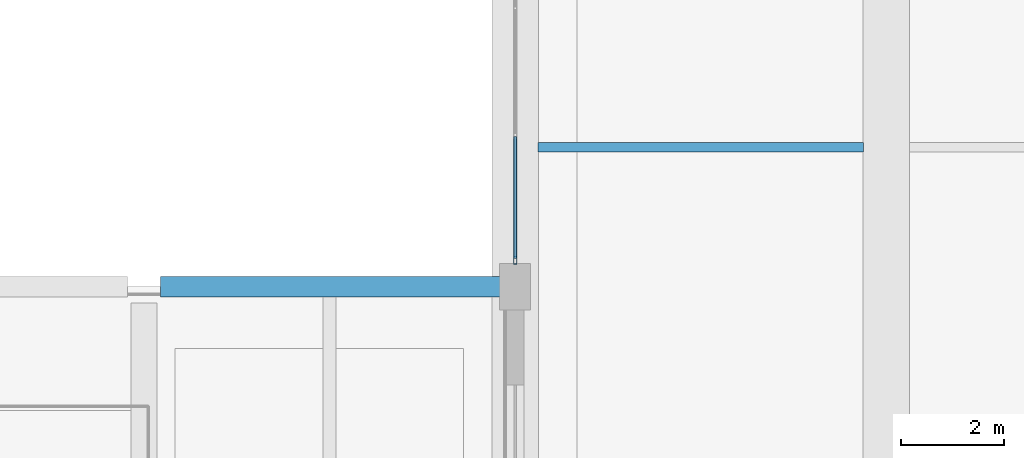
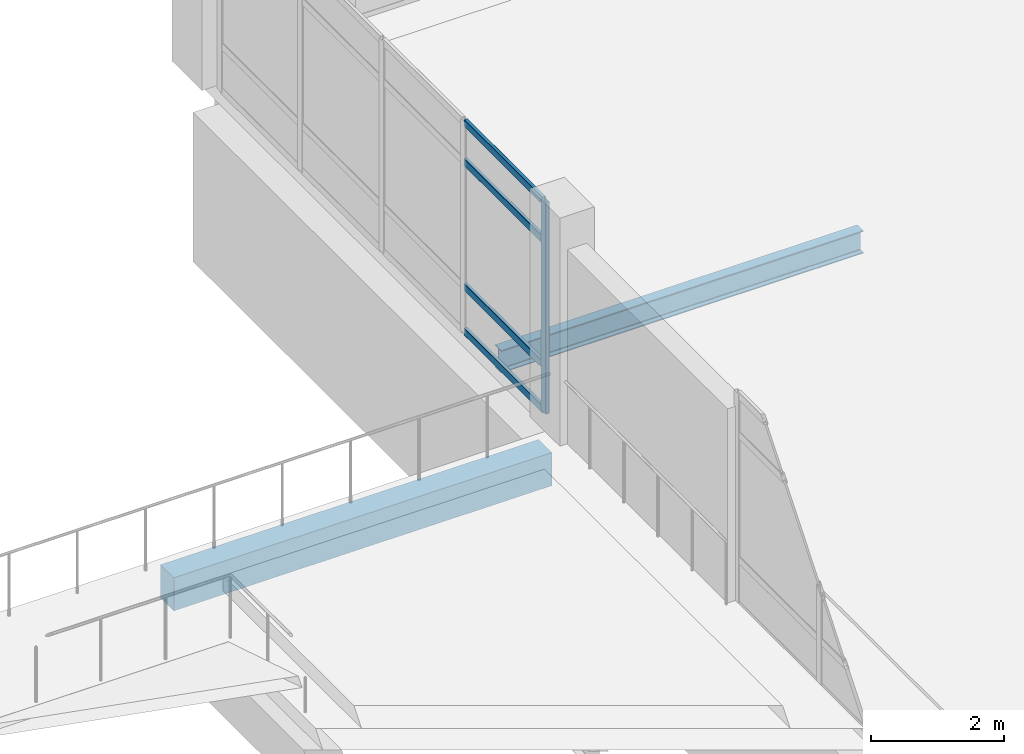
# One storey, part 25 of 158: 5 members, 2 beams, 1 element without a shape of its own.
"""IFC4 building model written with IfcOpenShell, lengths in metres."""

from ifc_helpers import new_model, si_unit, direction, frame, origin, origin_2d, place, context, subcontext, project, spatial, rectangle, hollow_rectangle, i_section, extrude, material, material_profile, profile_set, type_object, element, aggregate, save


model = new_model("IFC4")

# Units and contexts
model_context = context("Model", 3, precision=1e-05, world=origin(), true_north=direction((0.0, 1.0)))
body_context = subcontext(model_context, "Body", "Model", "MODEL_VIEW")
ifc_project = project(units=[si_unit("LENGTHUNIT", "METRE"), si_unit("AREAUNIT", "SQUARE_METRE"), si_unit("VOLUMEUNIT", "CUBIC_METRE"), si_unit("PLANEANGLEUNIT", "RADIAN"), si_unit("MASSUNIT", "GRAM", prefix="KILO")], contexts=[model_context])

# Site, building, storey
site_placement = place(None, origin())
site = spatial("IfcSite", under=ifc_project, at=site_placement, CompositionType="ELEMENT")
building_placement = place(site_placement, origin())
building = spatial("IfcBuilding", under=site, at=building_placement, Name="Lusvemor Sports Hall", CompositionType="ELEMENT")
storey_placement = place(building_placement, frame((0.0, 0.0, 10.800048828125)))
storey = spatial("IfcBuildingStorey", under=building, at=storey_placement, Name="L02", CompositionType="ELEMENT", Elevation=10.800048828125)

# Beam
ifc_material_1 = material(Name="Steel S355", Category="steel")
ifc_material_profile_1 = material_profile(ifc_material_1, i_section(OverallWidth=0.180908203125, OverallDepth=0.4169921875, WebThickness=0.010986328125, FlangeThickness=0.018310546875, FilletRadius=0.01611328125, at=origin_2d()), Name="W410x85.0")
ifc_profile_set_1 = profile_set([ifc_material_profile_1], Name="Steel S355")
beam_type_1 = type_object("IfcBeamType", Name="BEAM_ST_410H", PredefinedType="BEAM", material=ifc_profile_set_1)
beam_1_placement = place(storey_placement, frame((119.2451171875, 31.5, -0.5625), z_axis=(1.0, 0.0, 0.0), x_axis=(0.0, 1.0, 0.0)))
element("IfcBeam", 1, at=beam_1_placement, inside=storey, type_object=beam_type_1, Name="Transfer Deck Beam 13-14 Row 3", PredefinedType="BEAM", context=body_context, shape_type="SweptSolid", body=[
    extrude(i_section(OverallWidth=0.180908203125, OverallDepth=0.4169921875, WebThickness=0.010986328125, FlangeThickness=0.018310546875, FilletRadius=0.01611328125, at=origin_2d()), origin(), (0.0, 0.0, 1.0), 6.309814453125),
])

# Curtain wall, members
ifc_material_2 = material(Name="Thermally broken bronze-anodized aluminium", Category="aluminium")
curtain_wall_type = type_object("IfcCurtainWallType", Name="CW_COURT_C", PredefinedType="NOTDEFINED", material=ifc_material_2)
curtain_wall_placement = place(storey_placement, origin())
curtain_wall = element("IfcCurtainWall", 2, at=curtain_wall_placement, inside=storey, type_object=curtain_wall_type, Name="Curtain Wall CW-V2W-L02-3", PredefinedType="NOTDEFINED")
ifc_material_3 = material(Name="Thermally broken bronze-anodized aluminium", Category="aluminium")
ifc_material_profile_2 = material_profile(ifc_material_3, hollow_rectangle(XDim=0.06494140625, YDim=0.14990234375, WallThickness=0.00390625, InnerFilletRadius=0.00390625, OuterFilletRadius=0.008056640625, at=origin_2d()), Name="CWMUL150x65x4")
ifc_profile_set_2 = profile_set([ifc_material_profile_2], Name="Thermally broken bronze-anodized aluminium")
member_type_1 = type_object("IfcMemberType", Name="CW_MUL_B", PredefinedType="MULLION", material=ifc_profile_set_2)
member_1_placement = place(storey_placement, frame((118.800048828125, 29.3125, -0.050048828125), z_axis=(0.0, 0.0, 1.0), x_axis=(-1.0, 0.0, 0.0)))
member_1 = element("IfcMember", 3, at=member_1_placement, type_object=member_type_1, Name="CW03 mullion 1", PredefinedType="MULLION", context=body_context, shape_type="SweptSolid", body=[
    extrude(hollow_rectangle(XDim=0.06494140625, YDim=0.14990234375, WallThickness=0.00390625, InnerFilletRadius=0.00390625, OuterFilletRadius=0.008056640625, at=origin_2d()), origin(), (0.0, 0.0, 1.0), 3.89990234375),
])
ifc_material_4 = material(Name="Thermally broken bronze-anodized aluminium", Category="aluminium")
ifc_material_profile_3 = material_profile(ifc_material_4, hollow_rectangle(XDim=0.06005859375, YDim=0.135009765625, WallThickness=0.00390625, InnerFilletRadius=0.00390625, OuterFilletRadius=0.008056640625, at=origin_2d()), Name="CWTRN135x60x4")
ifc_profile_set_3 = profile_set([ifc_material_profile_3], Name="Thermally broken bronze-anodized aluminium")
member_type_2 = type_object("IfcMemberType", Name="CW_TRN_B", PredefinedType="USERDEFINED", material=ifc_profile_set_3)
member_2_placement = place(storey_placement, frame((118.800048828125, 29.344970703125, -0.02001953125), z_axis=(0.0, 1.0, 0.0), x_axis=(-1.0, 0.0, 0.0)))
member_2 = element("IfcMember", 4, at=member_2_placement, type_object=member_type_2, Name="CW03 transom 1.1", ObjectType="TRANSOM", PredefinedType="USERDEFINED", context=body_context, shape_type="SweptSolid", body=[
    extrude(hollow_rectangle(XDim=0.06005859375, YDim=0.135009765625, WallThickness=0.00390625, InnerFilletRadius=0.00390625, OuterFilletRadius=0.008056640625, at=origin_2d()), origin(), (0.0, 0.0, 1.0), 2.362548828125),
])
member_3_placement = place(storey_placement, frame((118.800048828125, 29.344970703125, 0.800048828125), z_axis=(0.0, 1.0, 0.0), x_axis=(-1.0, 0.0, 0.0)))
member_3 = element("IfcMember", 5, at=member_3_placement, type_object=member_type_2, Name="CW03 transom 1.2", ObjectType="TRANSOM", PredefinedType="USERDEFINED", context=body_context, shape_type="SweptSolid", body=[
    extrude(hollow_rectangle(XDim=0.06005859375, YDim=0.135009765625, WallThickness=0.00390625, InnerFilletRadius=0.00390625, OuterFilletRadius=0.008056640625, at=origin_2d()), origin(), (0.0, 0.0, 1.0), 2.362548828125),
])
member_4_placement = place(storey_placement, frame((118.800048828125, 29.344970703125, 3.099853515625), z_axis=(0.0, 1.0, 0.0), x_axis=(-1.0, 0.0, 0.0)))
member_4 = element("IfcMember", 6, at=member_4_placement, type_object=member_type_2, Name="CW03 transom 1.3", ObjectType="TRANSOM", PredefinedType="USERDEFINED", context=body_context, shape_type="SweptSolid", body=[
    extrude(hollow_rectangle(XDim=0.06005859375, YDim=0.135009765625, WallThickness=0.00390625, InnerFilletRadius=0.00390625, OuterFilletRadius=0.008056640625, at=origin_2d()), origin(), (0.0, 0.0, 1.0), 2.362548828125),
])
member_5_placement = place(storey_placement, frame((118.800048828125, 29.344970703125, 3.820068359375), z_axis=(0.0, 1.0, 0.0), x_axis=(-1.0, 0.0, 0.0)))
member_5 = element("IfcMember", 7, at=member_5_placement, type_object=member_type_2, Name="CW03 transom 1.4", ObjectType="TRANSOM", PredefinedType="USERDEFINED", context=body_context, shape_type="SweptSolid", body=[
    extrude(hollow_rectangle(XDim=0.06005859375, YDim=0.135009765625, WallThickness=0.00390625, InnerFilletRadius=0.00390625, OuterFilletRadius=0.008056640625, at=origin_2d()), origin(), (0.0, 0.0, 1.0), 2.362548828125),
])
aggregate(curtain_wall, [member_1, member_2, member_3, member_4, member_5])

# Beam
ifc_material_5 = material(Name="Concrete C40/50", Category="concrete")
ifc_material_profile_4 = material_profile(ifc_material_5, rectangle(XDim=0.39990234375, YDim=0.610107421875, at=origin_2d()), Name="RC400x610")
ifc_profile_set_4 = profile_set([ifc_material_profile_4], Name="Concrete C40/50")
beam_type_2 = type_object("IfcBeamType", Name="SPAND_EXT_650", PredefinedType="SPANDREL", material=ifc_profile_set_4)
beam_2_placement = place(storey_placement, frame((111.9208984375, 28.800048828125, -0.574951171875), z_axis=(1.0, 0.0, 0.0), x_axis=(0.0, 1.0, 0.0)))
element("IfcBeam", 8, at=beam_2_placement, inside=storey, type_object=beam_type_2, Name="Beam L02 D:12-13", PredefinedType="SPANDREL", context=body_context, shape_type="SweptSolid", body=[
    extrude(rectangle(XDim=0.39990234375, YDim=0.610107421875, at=origin_2d()), origin(), (0.0, 0.0, 1.0), 6.5830078125),
])

save(model, "model.ifc")
